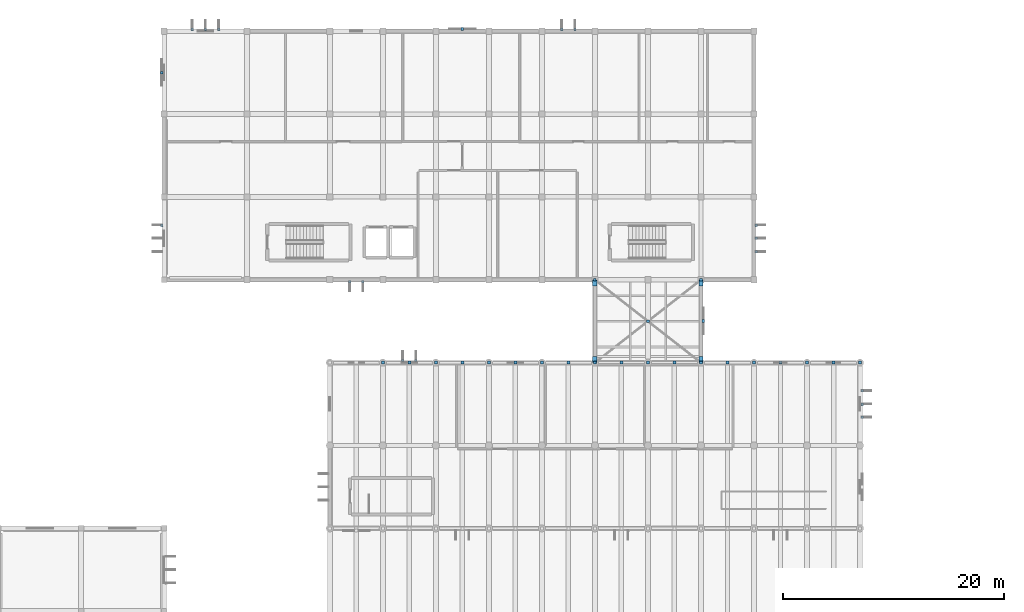
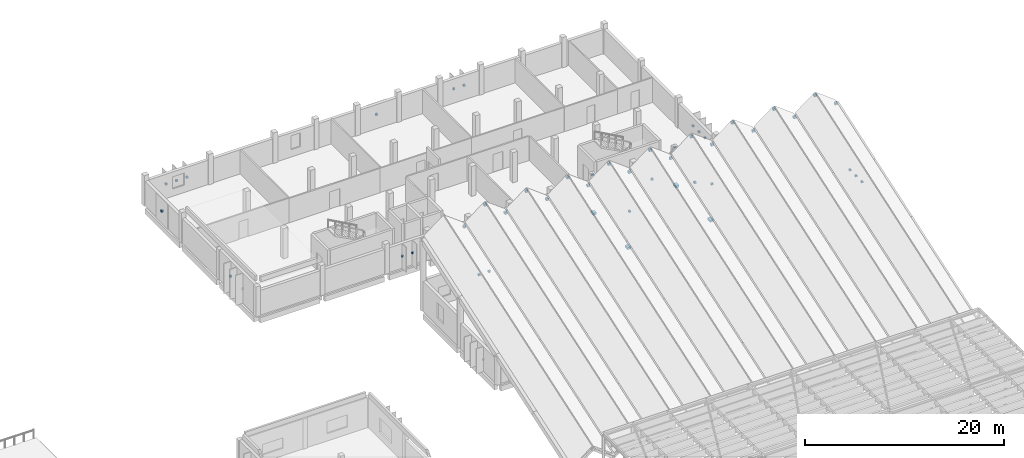
# One storey, part 37 of 47: 47 discrete accessories.
"""IFC4 building model written with IfcOpenShell, lengths in metres."""

from ifc_helpers import new_model, si_unit, direction, frame, origin, origin_2d, place, context, subcontext, project, spatial, rectangle, extrude, material, layer, layer_set, type_object, element, save


model = new_model("IFC4")

# Units and contexts
model_context = context("Model", 3, precision=1e-05, world=origin(), true_north=direction((0.0, 1.0)))
body_context = subcontext(model_context, "Body", "Model", "MODEL_VIEW")
ifc_project = project(units=[si_unit("LENGTHUNIT", "METRE"), si_unit("AREAUNIT", "SQUARE_METRE"), si_unit("VOLUMEUNIT", "CUBIC_METRE"), si_unit("PLANEANGLEUNIT", "RADIAN"), si_unit("MASSUNIT", "GRAM", prefix="KILO")], contexts=[model_context])

# Site, building, storey
site_placement = place(None, origin())
site = spatial("IfcSite", under=ifc_project, at=site_placement, CompositionType="ELEMENT")
building_placement = place(site_placement, origin())
building = spatial("IfcBuilding", under=site, at=building_placement, Name="Mawjan Specialist Oncology Clinic", CompositionType="ELEMENT")
storey_placement = place(building_placement, frame((0.0, 0.0, 9.5)))
storey = spatial("IfcBuildingStorey", under=building, at=storey_placement, Name="L02", CompositionType="ELEMENT", Elevation=9.5)

# Discrete accessories
ifc_material = material(Name="Structural steel S355", Category="steel")
ifc_layer = layer(ifc_material, 0.219970703125, Name="Structural steel S355", Category="steel")
ifc_layer_set = layer_set([ifc_layer], Name="Structural steel S355")
discrete_accessory_type = type_object("IfcDiscreteAccessoryType", Name="BRK-S355", PredefinedType="BRACKET", material=ifc_layer_set)
for number, where, z_axis, x_axis, name in (
    (1, (84.0, 76.074951171875, -1.0048828125), (0.0, 0.0, 1.0), (1.0, 0.0, 0.0), "Skybridge L02 SW 550mm Seat 300mm PTFE Sliding Bearing Pad"),
    (2, (93.60009765625, 76.074951171875, -1.0048828125), (0.0, 0.0, 1.0), (1.0, 0.0, 0.0), "Skybridge L02 SE 550mm Seat 300mm PTFE Sliding Bearing Pad"),
    (3, (84.0, 83.02490234375, -1.0048828125), (0.0, 0.0, 1.0), (1.0, 0.0, 0.0), "Skybridge L02 NW 550mm Seat 300mm PTFE Sliding Bearing Pad"),
    (4, (93.60009765625, 83.02490234375, -1.0048828125), (0.0, 0.0, 1.0), (1.0, 0.0, 0.0), "Skybridge L02 NE 550mm Seat 300mm PTFE Sliding Bearing Pad"),
):
    element("IfcDiscreteAccessory", number, at=place(storey_placement, frame(where, z_axis=z_axis, x_axis=x_axis)), inside=storey, type_object=discrete_accessory_type, Name=name, PredefinedType="BRACKET", context=body_context, shape_type="SweptSolid", body=[
        extrude(rectangle(XDim=0.39990234375, YDim=0.550048828125, at=origin_2d()), origin(), (0.0, 0.0, 1.0), 0.25),
    ])
for number, where, z_axis, x_axis, name in (
    (5, (88.800048828125, 79.550048828125, 3.580078125), (0.0, 0.0, 1.0), (1.0, 0.0, 0.0), "Skybridge L02 X-Brace Crossing Gusset Plate"),
    (6, (84.0, 75.800048828125, 3.580078125), (0.0, 0.0, 1.0), (1.0, 0.0, 0.0), "Brace End Gusset Connection Plate 5"),
    (7, (93.60009765625, 83.300048828125, 3.580078125), (0.0, 0.0, 1.0), (1.0, 0.0, 0.0), "Brace End Gusset Connection Plate 6"),
    (8, (93.60009765625, 75.800048828125, 3.580078125), (0.0, 0.0, 1.0), (1.0, 0.0, 0.0), "Brace End Gusset Connection Plate 7"),
    (9, (84.0, 83.300048828125, 3.580078125), (0.0, 0.0, 1.0), (1.0, 0.0, 0.0), "Brace End Gusset Connection Plate 8"),
):
    element("IfcDiscreteAccessory", number, at=place(storey_placement, frame(where, z_axis=z_axis, x_axis=x_axis)), inside=storey, type_object=discrete_accessory_type, Name=name, PredefinedType="BRACKET", context=body_context, shape_type="SweptSolid", body=[
        extrude(rectangle(XDim=0.239990234375, YDim=0.239990234375, at=origin_2d()), origin(), (0.0, 0.0, 1.0), 0.199951171875),
    ])
for number, where, z_axis, x_axis, name in (
    (10, (64.800048828125, 75.800048828125, 8.39990234375), (0.0, 0.0, 1.0), (1.0, 0.0, 0.0), "Strut End Gusset Connection Plate 17"),
    (11, (67.199951171875, 75.800048828125, 10.23974609375), (0.0, 0.0, 1.0), (1.0, 0.0, 0.0), "Strut End Gusset Connection Plate 22"),
    (12, (69.60009765625, 75.800048828125, 8.39990234375), (0.0, 0.0, 1.0), (1.0, 0.0, 0.0), "Strut End Gusset Connection Plate 23"),
    (13, (72.0, 75.800048828125, 10.23974609375), (0.0, 0.0, 1.0), (1.0, 0.0, 0.0), "Strut End Gusset Connection Plate 28"),
    (14, (74.39990234375, 75.800048828125, 8.39990234375), (0.0, 0.0, 1.0), (1.0, 0.0, 0.0), "Strut End Gusset Connection Plate 29"),
    (15, (76.800048828125, 75.800048828125, 10.23974609375), (0.0, 0.0, 1.0), (1.0, 0.0, 0.0), "Strut End Gusset Connection Plate 34"),
    (16, (79.199951171875, 75.800048828125, 8.39990234375), (0.0, 0.0, 1.0), (1.0, 0.0, 0.0), "Strut End Gusset Connection Plate 35"),
    (17, (81.60009765625, 75.800048828125, 10.23974609375), (0.0, 0.0, 1.0), (1.0, 0.0, 0.0), "Strut End Gusset Connection Plate 40"),
    (18, (84.0, 75.800048828125, 8.39990234375), (0.0, 0.0, 1.0), (1.0, 0.0, 0.0), "Strut End Gusset Connection Plate 41"),
    (19, (86.39990234375, 75.800048828125, 10.23974609375), (0.0, 0.0, 1.0), (1.0, 0.0, 0.0), "Strut End Gusset Connection Plate 46"),
    (20, (88.800048828125, 75.800048828125, 8.39990234375), (0.0, 0.0, 1.0), (1.0, 0.0, 0.0), "Strut End Gusset Connection Plate 47"),
    (21, (91.199951171875, 75.800048828125, 10.23974609375), (0.0, 0.0, 1.0), (1.0, 0.0, 0.0), "Strut End Gusset Connection Plate 52"),
    (22, (93.60009765625, 75.800048828125, 8.39990234375), (0.0, 0.0, 1.0), (1.0, 0.0, 0.0), "Strut End Gusset Connection Plate 53"),
    (23, (96.0, 75.800048828125, 10.23974609375), (0.0, 0.0, 1.0), (1.0, 0.0, 0.0), "Strut End Gusset Connection Plate 58"),
    (24, (98.39990234375, 75.800048828125, 8.39990234375), (0.0, 0.0, 1.0), (1.0, 0.0, 0.0), "Strut End Gusset Connection Plate 59"),
    (25, (100.800048828125, 75.800048828125, 10.23974609375), (0.0, 0.0, 1.0), (1.0, 0.0, 0.0), "Strut End Gusset Connection Plate 64"),
    (26, (103.199951171875, 75.800048828125, 8.39990234375), (0.0, 0.0, 1.0), (1.0, 0.0, 0.0), "Strut End Gusset Connection Plate 65"),
    (27, (105.60009765625, 75.800048828125, 10.23974609375), (0.0, 0.0, 1.0), (1.0, 0.0, 0.0), "Strut End Gusset Connection Plate 70"),
    (28, (108.0, 75.800048828125, 8.39990234375), (0.0, 0.0, 1.0), (1.0, 0.0, 0.0), "Strut End Gusset Connection Plate 71"),
):
    element("IfcDiscreteAccessory", number, at=place(storey_placement, frame(where, z_axis=z_axis, x_axis=x_axis)), inside=storey, type_object=discrete_accessory_type, Name=name, PredefinedType="BRACKET", context=body_context, shape_type="SweptSolid", body=[
        extrude(rectangle(XDim=0.280029296875, YDim=0.280029296875, at=origin_2d()), origin(), (0.0, 0.0, 1.0), 0.280029296875),
    ])
for number, where, z_axis, x_axis, name in (
    (29, (63.0, 83.10498046875, 1.40771484375), (0.0, 0.0, 1.0), (-1.0, 0.0, 0.0), "Solar Fin Mounting Bracket 35"),
    (30, (61.800048828125, 83.10498046875, 1.40771484375), (0.0, 0.0, 1.0), (-1.0, 0.0, 0.0), "Solar Fin Mounting Bracket 36"),
    (31, (44.804931640625, 88.25, 1.740234375), (0.0, 0.0, 1.0), (0.0, 1.0, 0.0), "Solar Fin Mounting Bracket 39"),
):
    element("IfcDiscreteAccessory", number, at=place(storey_placement, frame(where, z_axis=z_axis, x_axis=x_axis)), inside=storey, type_object=discrete_accessory_type, Name=name, PredefinedType="BRACKET", context=body_context, shape_type="SweptSolid", body=[
        extrude(rectangle(XDim=0.219970703125, YDim=0.219970703125, at=origin_2d()), origin(), (0.0, 0.0, 1.0), 0.219970703125),
    ])
discrete_accessory_1_placement = place(storey_placement, frame((44.804931640625, 102.050048828125, 1.40771484375), z_axis=(0.0, 0.0, 1.0), x_axis=(0.0, 1.0, 0.0)))
element("IfcDiscreteAccessory", 32, at=discrete_accessory_1_placement, inside=storey, type_object=discrete_accessory_type, Name="Rawshan Screen Mounting Bracket 40", PredefinedType="BRACKET", context=body_context, shape_type="SweptSolid", body=[
    extrude(rectangle(XDim=0.239990234375, YDim=0.239990234375, at=origin_2d()), origin(), (0.0, 0.0, 1.0), 0.219970703125),
])
for number, where, z_axis, x_axis, name in (
    (33, (47.550048828125, 105.9951171875, 1.38232421875), (0.0, 0.0, 1.0), (1.0, 0.0, 0.0), "Solar Fin Mounting Bracket 41"),
    (34, (48.75, 105.9951171875, 1.38232421875), (0.0, 0.0, 1.0), (1.0, 0.0, 0.0), "Solar Fin Mounting Bracket 42"),
    (35, (49.949951171875, 105.9951171875, 1.38232421875), (0.0, 0.0, 1.0), (1.0, 0.0, 0.0), "Solar Fin Mounting Bracket 43"),
):
    element("IfcDiscreteAccessory", number, at=place(storey_placement, frame(where, z_axis=z_axis, x_axis=x_axis)), inside=storey, type_object=discrete_accessory_type, Name=name, PredefinedType="BRACKET", context=body_context, shape_type="SweptSolid", body=[
        extrude(rectangle(XDim=0.219970703125, YDim=0.219970703125, at=origin_2d()), origin(), (0.0, 0.0, 1.0), 0.219970703125),
    ])
discrete_accessory_2_placement = place(storey_placement, frame((72.0, 105.9951171875, 1.38232421875), z_axis=(0.0, 0.0, 1.0), x_axis=(1.0, 0.0, 0.0)))
element("IfcDiscreteAccessory", 36, at=discrete_accessory_2_placement, inside=storey, type_object=discrete_accessory_type, Name="Rawshan Screen Mounting Bracket 44", PredefinedType="BRACKET", context=body_context, shape_type="SweptSolid", body=[
    extrude(rectangle(XDim=0.239990234375, YDim=0.239990234375, at=origin_2d()), origin(), (0.0, 0.0, 1.0), 0.219970703125),
])
for number, where, z_axis, x_axis, name in (
    (37, (81.0, 105.9951171875, 1.38232421875), (0.0, 0.0, 1.0), (1.0, 0.0, 0.0), "Solar Fin Mounting Bracket 45"),
    (38, (82.199951171875, 105.9951171875, 1.38232421875), (0.0, 0.0, 1.0), (1.0, 0.0, 0.0), "Solar Fin Mounting Bracket 46"),
    (39, (98.594970703125, 88.25, 1.40771484375), (0.0, 0.0, 1.0), (0.0, -1.0, 0.0), "Solar Fin Mounting Bracket 47"),
    (40, (98.594970703125, 87.050048828125, 1.40771484375), (0.0, 0.0, 1.0), (0.0, -1.0, 0.0), "Solar Fin Mounting Bracket 48"),
    (41, (98.594970703125, 85.85009765625, 1.40771484375), (0.0, 0.0, 1.0), (0.0, -1.0, 0.0), "Solar Fin Mounting Bracket 49"),
):
    element("IfcDiscreteAccessory", number, at=place(storey_placement, frame(where, z_axis=z_axis, x_axis=x_axis)), inside=storey, type_object=discrete_accessory_type, Name=name, PredefinedType="BRACKET", context=body_context, shape_type="SweptSolid", body=[
        extrude(rectangle(XDim=0.219970703125, YDim=0.219970703125, at=origin_2d()), origin(), (0.0, 0.0, 1.0), 0.219970703125),
    ])
discrete_accessory_3_placement = place(storey_placement, frame((93.794921875, 79.574951171875, 1.40771484375), z_axis=(0.0, 0.0, 1.0), x_axis=(0.0, -1.0, 0.0)))
element("IfcDiscreteAccessory", 42, at=discrete_accessory_3_placement, inside=storey, type_object=discrete_accessory_type, Name="Rawshan Screen Mounting Bracket 50", PredefinedType="BRACKET", context=body_context, shape_type="SweptSolid", body=[
    extrude(rectangle(XDim=0.239990234375, YDim=0.239990234375, at=origin_2d()), origin(), (0.0, 0.0, 1.0), 0.219970703125),
])
for number, where, z_axis, x_axis, name in (
    (43, (108.195068359375, 73.25, 1.740234375), (0.0, 0.0, 1.0), (0.0, -1.0, 0.0), "Solar Fin Mounting Bracket 51"),
    (44, (108.195068359375, 72.050048828125, 1.740234375), (0.0, 0.0, 1.0), (0.0, -1.0, 0.0), "Solar Fin Mounting Bracket 52"),
    (45, (108.195068359375, 70.85009765625, 1.740234375), (0.0, 0.0, 1.0), (0.0, -1.0, 0.0), "Solar Fin Mounting Bracket 53"),
    (46, (66.60009765625, 75.9951171875, 1.740234375), (0.0, 0.0, 1.0), (1.0, 0.0, 0.0), "Solar Fin Mounting Bracket 65"),
    (47, (67.800048828125, 75.9951171875, 1.740234375), (0.0, 0.0, 1.0), (1.0, 0.0, 0.0), "Solar Fin Mounting Bracket 66"),
):
    element("IfcDiscreteAccessory", number, at=place(storey_placement, frame(where, z_axis=z_axis, x_axis=x_axis)), inside=storey, type_object=discrete_accessory_type, Name=name, PredefinedType="BRACKET", context=body_context, shape_type="SweptSolid", body=[
        extrude(rectangle(XDim=0.219970703125, YDim=0.219970703125, at=origin_2d()), origin(), (0.0, 0.0, 1.0), 0.219970703125),
    ])

save(model, "model.ifc")
